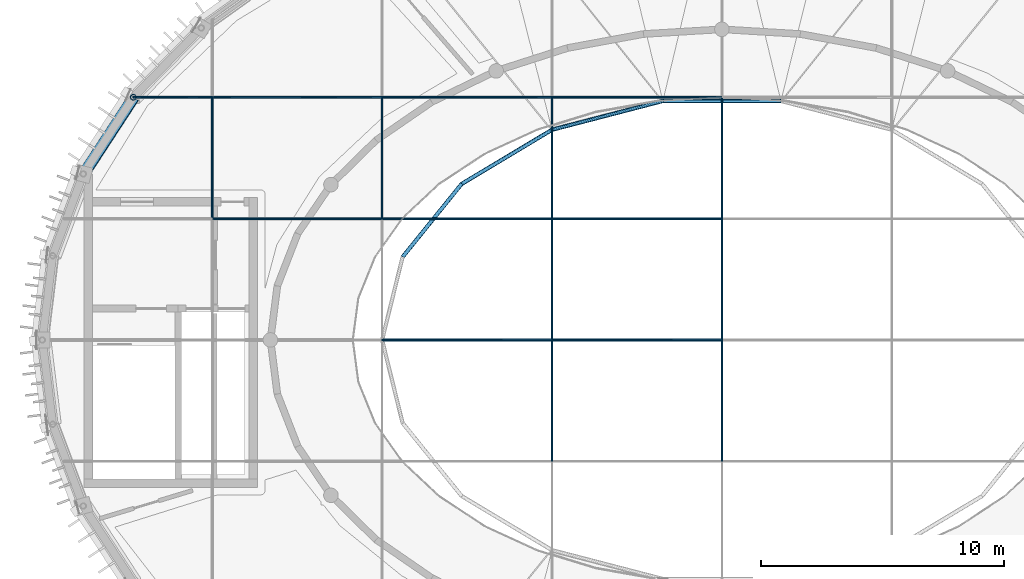
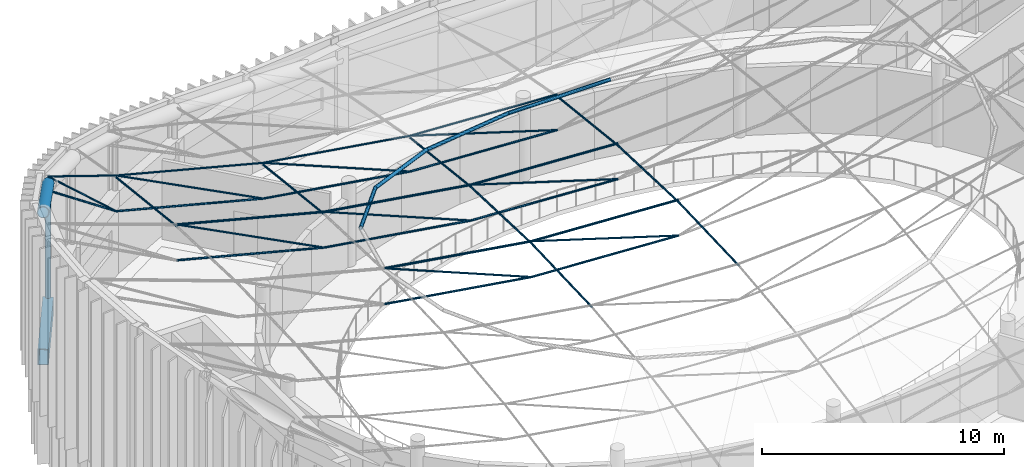
# One storey, part 6 of 36: 41 members, 1 beam.
"""IFC4 building model written with IfcOpenShell, lengths in metres."""

from ifc_helpers import new_model, si_unit, direction, frame, origin, origin_2d, place, context, subcontext, project, spatial, hollow_rectangle, circle, hollow_circle, extrude, material, material_profile, profile_set, type_object, element, save


model = new_model("IFC4")

# Units and contexts
model_context = context("Model", 3, precision=1e-05, world=origin(), true_north=direction((0.0, 1.0)))
body_context = subcontext(model_context, "Body", "Model", "MODEL_VIEW")
ifc_project = project(units=[si_unit("LENGTHUNIT", "METRE"), si_unit("AREAUNIT", "SQUARE_METRE"), si_unit("VOLUMEUNIT", "CUBIC_METRE"), si_unit("PLANEANGLEUNIT", "RADIAN"), si_unit("MASSUNIT", "GRAM", prefix="KILO")], contexts=[model_context])

# Site, building, storey
site_placement = place(None, origin())
site = spatial("IfcSite", under=ifc_project, at=site_placement, CompositionType="ELEMENT")
building_placement = place(site_placement, origin())
building = spatial("IfcBuilding", under=site, at=building_placement, Name="Tarnveldt Headland Concert Hall", CompositionType="ELEMENT")
storey_placement = place(building_placement, frame((0.0, 0.0, 22.800048828125)))
storey = spatial("IfcBuildingStorey", under=building, at=storey_placement, Name="L05", CompositionType="ELEMENT", Elevation=22.800048828125)

# Members
ifc_material = material(Name="Steel S355", Category="steel")
ifc_material_profile_1 = material_profile(ifc_material, circle(Radius=0.0458984375, at=origin_2d()), Name="LC D92", Category="steel")
ifc_profile_set_1 = profile_set([ifc_material_profile_1], Name="Steel S355")
member_type_1 = type_object("IfcMemberType", Name="CB-HOG92", PredefinedType="USERDEFINED", material=ifc_profile_set_1)
for number, where, z_axis, x_axis, name in (
    (1, (62.5, 59.5, 9.635009765625), (0.0, 0.993731316159, -0.111794773068), (-1.0, 0.0, 0.0), "ROOF TRUSS CABLE prestress chord 57"),
    (2, (69.5, 59.5, 7.822509765625), (0.0, 0.993731316159, -0.111794773068), (-1.0, 0.0, 0.0), "ROOF TRUSS CABLE prestress chord 64"),
):
    element("IfcMember", number, at=place(storey_placement, frame(where, z_axis=z_axis, x_axis=x_axis)), inside=storey, type_object=member_type_1, Name=name, ObjectType="CABLE", PredefinedType="USERDEFINED", context=body_context, shape_type="SweptSolid", body=[
        extrude(circle(Radius=0.0458984375, at=origin_2d()), origin(), (0.0, 0.0, 1.0), 5.031494140625),
    ])
for number, where, z_axis, x_axis, name in (
    (3, (76.5, 49.5, 6.73486328125), (0.0, 0.999297615709, 0.037473660589), (-1.0, 0.0, 0.0), "ROOF TRUSS CABLE prestress chord 70"),
    (4, (76.5, 54.5, 6.92236328125), (0.0, 0.999297615709, -0.037473660589), (-1.0, 0.0, 0.0), "ROOF TRUSS CABLE prestress chord 71"),
):
    element("IfcMember", number, at=place(storey_placement, frame(where, z_axis=z_axis, x_axis=x_axis)), inside=storey, type_object=member_type_1, Name=name, ObjectType="CABLE", PredefinedType="USERDEFINED", context=body_context, shape_type="SweptSolid", body=[
        extrude(circle(Radius=0.0458984375, at=origin_2d()), origin(), (0.0, 0.0, 1.0), 5.00341796875),
    ])
member_1_placement = place(storey_placement, frame((76.5, 59.5, 6.73486328125), z_axis=(0.0, 0.993731316159, -0.111794773068), x_axis=(-1.0, 0.0, 0.0)))
element("IfcMember", 5, at=member_1_placement, inside=storey, type_object=member_type_1, Name="ROOF TRUSS CABLE prestress chord 72", ObjectType="CABLE", PredefinedType="USERDEFINED", context=body_context, shape_type="SweptSolid", body=[
    extrude(circle(Radius=0.0458984375, at=origin_2d()), origin(), (0.0, 0.0, 1.0), 5.031494140625),
])
for number, where, z_axis, x_axis, name in (
    (6, (83.5, 49.5, 6.37255859375), (0.0, 0.999297615709, 0.037473660589), (-1.0, 0.0, 0.0), "ROOF TRUSS CABLE prestress chord 78"),
    (7, (83.5, 54.5, 6.56005859375), (0.0, 0.999297615709, -0.037473660589), (-1.0, 0.0, 0.0), "ROOF TRUSS CABLE prestress chord 79"),
):
    element("IfcMember", number, at=place(storey_placement, frame(where, z_axis=z_axis, x_axis=x_axis)), inside=storey, type_object=member_type_1, Name=name, ObjectType="CABLE", PredefinedType="USERDEFINED", context=body_context, shape_type="SweptSolid", body=[
        extrude(circle(Radius=0.0458984375, at=origin_2d()), origin(), (0.0, 0.0, 1.0), 5.00341796875),
    ])
member_2_placement = place(storey_placement, frame((83.5, 59.5, 6.37255859375), z_axis=(0.0, 0.993731316159, -0.111794773068), x_axis=(-1.0, 0.0, 0.0)))
element("IfcMember", 8, at=member_2_placement, inside=storey, type_object=member_type_1, Name="ROOF TRUSS CABLE prestress chord 80", ObjectType="CABLE", PredefinedType="USERDEFINED", context=body_context, shape_type="SweptSolid", body=[
    extrude(circle(Radius=0.0458984375, at=origin_2d()), origin(), (0.0, 0.0, 1.0), 5.031494140625),
])
ifc_material_profile_2 = material_profile(ifc_material, circle(Radius=0.053955078125, at=origin_2d()), Name="LC D108", Category="steel")
ifc_profile_set_2 = profile_set([ifc_material_profile_2], Name="Steel S355")
member_type_2 = type_object("IfcMemberType", Name="CB-SAG108", PredefinedType="USERDEFINED", material=ifc_profile_set_2)
member_3_placement = place(storey_placement, frame((69.5, 54.5, 8.10986328125), z_axis=(0.988148319322, 0.0, -0.153502114058), x_axis=(0.0, 1.0, 0.0)))
element("IfcMember", 9, at=member_3_placement, inside=storey, type_object=member_type_2, Name="ROOF TRUSS CABLE sag chord 25", ObjectType="CABLE", PredefinedType="USERDEFINED", context=body_context, shape_type="SweptSolid", body=[
    extrude(circle(Radius=0.053955078125, at=origin_2d()), origin(), (0.0, 0.0, 1.0), 7.083984375),
])
member_4_placement = place(storey_placement, frame((76.5, 54.5, 7.0224609375), z_axis=(0.99866145102, 0.0, -0.05172336268), x_axis=(0.0, 1.0, 0.0)))
element("IfcMember", 10, at=member_4_placement, inside=storey, type_object=member_type_2, Name="ROOF TRUSS CABLE sag chord 26", ObjectType="CABLE", PredefinedType="USERDEFINED", context=body_context, shape_type="SweptSolid", body=[
    extrude(circle(Radius=0.053955078125, at=origin_2d()), origin(), (0.0, 0.0, 1.0), 7.00927734375),
])
member_5_placement = place(storey_placement, frame((62.5, 59.5, 9.73486328125), z_axis=(0.968074621179, 0.0, -0.250662178698), x_axis=(0.0, 1.0, 0.0)))
element("IfcMember", 11, at=member_5_placement, inside=storey, type_object=member_type_2, Name="ROOF TRUSS CABLE sag chord 32", ObjectType="CABLE", PredefinedType="USERDEFINED", context=body_context, shape_type="SweptSolid", body=[
    extrude(circle(Radius=0.053955078125, at=origin_2d()), origin(), (0.0, 0.0, 1.0), 7.23095703125),
])
member_6_placement = place(storey_placement, frame((69.5, 59.5, 7.92236328125), z_axis=(0.988148319322, 0.0, -0.153502114058), x_axis=(0.0, 1.0, 0.0)))
element("IfcMember", 12, at=member_6_placement, inside=storey, type_object=member_type_2, Name="ROOF TRUSS CABLE sag chord 33", ObjectType="CABLE", PredefinedType="USERDEFINED", context=body_context, shape_type="SweptSolid", body=[
    extrude(circle(Radius=0.053955078125, at=origin_2d()), origin(), (0.0, 0.0, 1.0), 7.083984375),
])
member_7_placement = place(storey_placement, frame((76.5, 59.5, 6.8349609375), z_axis=(0.99866145102, 0.0, -0.05172336268), x_axis=(0.0, 1.0, 0.0)))
element("IfcMember", 13, at=member_7_placement, inside=storey, type_object=member_type_2, Name="ROOF TRUSS CABLE sag chord 34", ObjectType="CABLE", PredefinedType="USERDEFINED", context=body_context, shape_type="SweptSolid", body=[
    extrude(circle(Radius=0.053955078125, at=origin_2d()), origin(), (0.0, 0.0, 1.0), 7.00927734375),
])
ifc_material_profile_3 = material_profile(ifc_material, circle(Radius=0.031982421875, at=origin_2d()), Name="LC D64", Category="steel")
ifc_profile_set_3 = profile_set([ifc_material_profile_3], Name="Steel S355")
member_type_3 = type_object("IfcMemberType", Name="CB-STAY64", PredefinedType="USERDEFINED", material=ifc_profile_set_3)
member_8_placement = place(storey_placement, frame((69.5, 54.5, 8.10986328125), z_axis=(0.924440874248, 0.0, -0.381325412239), x_axis=(0.0, 1.0, 0.0)))
element("IfcMember", 14, at=member_8_placement, inside=storey, type_object=member_type_3, Name="ROOF TRUSS CABLE diagonal 25", ObjectType="CABLE", PredefinedType="USERDEFINED", context=body_context, shape_type="SweptSolid", body=[
    extrude(circle(Radius=0.031982421875, at=origin_2d()), origin(), (0.0, 0.0, 1.0), 7.572265625),
])
member_9_placement = place(storey_placement, frame((76.5, 54.5, 7.0224609375), z_axis=(0.955442632118, 0.0, -0.2951768567), x_axis=(0.0, 1.0, 0.0)))
element("IfcMember", 15, at=member_9_placement, inside=storey, type_object=member_type_3, Name="ROOF TRUSS CABLE diagonal 26", ObjectType="CABLE", PredefinedType="USERDEFINED", context=body_context, shape_type="SweptSolid", body=[
    extrude(circle(Radius=0.031982421875, at=origin_2d()), origin(), (0.0, 0.0, 1.0), 7.326416015625),
])
member_10_placement = place(storey_placement, frame((62.5, 59.5, 9.73486328125), z_axis=(0.888651623271, 0.0, -0.458582917757), x_axis=(0.0, 1.0, 0.0)))
element("IfcMember", 16, at=member_10_placement, inside=storey, type_object=member_type_3, Name="ROOF TRUSS CABLE diagonal 32", ObjectType="CABLE", PredefinedType="USERDEFINED", context=body_context, shape_type="SweptSolid", body=[
    extrude(circle(Radius=0.031982421875, at=origin_2d()), origin(), (0.0, 0.0, 1.0), 7.877197265625),
])
member_11_placement = place(storey_placement, frame((69.5, 59.5, 7.92236328125), z_axis=(0.924440874248, 0.0, -0.381325412239), x_axis=(0.0, 1.0, 0.0)))
element("IfcMember", 17, at=member_11_placement, inside=storey, type_object=member_type_3, Name="ROOF TRUSS CABLE diagonal 33", ObjectType="CABLE", PredefinedType="USERDEFINED", context=body_context, shape_type="SweptSolid", body=[
    extrude(circle(Radius=0.031982421875, at=origin_2d()), origin(), (0.0, 0.0, 1.0), 7.572265625),
])
member_12_placement = place(storey_placement, frame((76.5, 59.5, 6.8349609375), z_axis=(0.955442632118, 0.0, -0.2951768567), x_axis=(0.0, 1.0, 0.0)))
element("IfcMember", 18, at=member_12_placement, inside=storey, type_object=member_type_3, Name="ROOF TRUSS CABLE diagonal 34", ObjectType="CABLE", PredefinedType="USERDEFINED", context=body_context, shape_type="SweptSolid", body=[
    extrude(circle(Radius=0.031982421875, at=origin_2d()), origin(), (0.0, 0.0, 1.0), 7.326416015625),
])
member_13_placement = place(storey_placement, frame((59.251220703125, 64.5, 10.260009765625), z_axis=(0.747449604511, 0.0, -0.664318514507), x_axis=(0.0, 1.0, 0.0)))
element("IfcMember", 19, at=member_13_placement, inside=storey, type_object=member_type_3, Name="ROOF TRUSS CABLE diagonal 39", ObjectType="CABLE", PredefinedType="USERDEFINED", context=body_context, shape_type="SweptSolid", body=[
    extrude(circle(Radius=0.031982421875, at=origin_2d()), origin(), (0.0, 0.0, 1.0), 4.346435546875),
])
member_14_placement = place(storey_placement, frame((62.5, 64.5, 9.17236328125), z_axis=(0.888651623271, 0.0, -0.458582917757), x_axis=(0.0, 1.0, 0.0)))
element("IfcMember", 20, at=member_14_placement, inside=storey, type_object=member_type_3, Name="ROOF TRUSS CABLE diagonal 40", ObjectType="CABLE", PredefinedType="USERDEFINED", context=body_context, shape_type="SweptSolid", body=[
    extrude(circle(Radius=0.031982421875, at=origin_2d()), origin(), (0.0, 0.0, 1.0), 7.877197265625),
])
member_15_placement = place(storey_placement, frame((69.5, 64.5, 7.35986328125), z_axis=(0.924440874248, 0.0, -0.381325412239), x_axis=(0.0, 1.0, 0.0)))
element("IfcMember", 21, at=member_15_placement, inside=storey, type_object=member_type_3, Name="ROOF TRUSS CABLE diagonal 41", ObjectType="CABLE", PredefinedType="USERDEFINED", context=body_context, shape_type="SweptSolid", body=[
    extrude(circle(Radius=0.031982421875, at=origin_2d()), origin(), (0.0, 0.0, 1.0), 7.572265625),
])
member_16_placement = place(storey_placement, frame((76.5, 64.5, 6.2724609375), z_axis=(0.955442632118, 0.0, -0.2951768567), x_axis=(0.0, 1.0, 0.0)))
element("IfcMember", 22, at=member_16_placement, inside=storey, type_object=member_type_3, Name="ROOF TRUSS CABLE diagonal 42", ObjectType="CABLE", PredefinedType="USERDEFINED", context=body_context, shape_type="SweptSolid", body=[
    extrude(circle(Radius=0.031982421875, at=origin_2d()), origin(), (0.0, 0.0, 1.0), 7.326416015625),
])
ifc_material_profile_4 = material_profile(ifc_material, circle(Radius=0.0419921875, at=origin_2d()), Name="LC D84", Category="steel")
ifc_profile_set_4 = profile_set([ifc_material_profile_4], Name="Steel S355")
member_type_4 = type_object("IfcMemberType", Name="CB-STAY84", PredefinedType="USERDEFINED", material=ifc_profile_set_4)
member_17_placement = place(storey_placement, frame((59.251220703125, 64.5, 10.260009765625), z_axis=(0.948269174357, 0.0, -0.317467436068), x_axis=(0.0, 1.0, 0.0)))
element("IfcMember", 23, at=member_17_placement, inside=storey, type_object=member_type_4, Name="ROOF TRUSS CABLE sag chord 39", ObjectType="CABLE", PredefinedType="USERDEFINED", context=body_context, shape_type="SweptSolid", body=[
    extrude(circle(Radius=0.0419921875, at=origin_2d()), origin(), (0.0, 0.0, 1.0), 3.426025390625),
])
member_18_placement = place(storey_placement, frame((62.5, 64.5, 9.17236328125), z_axis=(0.968074621179, 0.0, -0.250662178698), x_axis=(0.0, 1.0, 0.0)))
element("IfcMember", 24, at=member_18_placement, inside=storey, type_object=member_type_4, Name="ROOF TRUSS CABLE sag chord 40", ObjectType="CABLE", PredefinedType="USERDEFINED", context=body_context, shape_type="SweptSolid", body=[
    extrude(circle(Radius=0.0419921875, at=origin_2d()), origin(), (0.0, 0.0, 1.0), 7.23095703125),
])
member_19_placement = place(storey_placement, frame((69.5, 64.5, 7.35986328125), z_axis=(0.988148319322, 0.0, -0.153502114058), x_axis=(0.0, 1.0, 0.0)))
element("IfcMember", 25, at=member_19_placement, inside=storey, type_object=member_type_4, Name="ROOF TRUSS CABLE sag chord 41", ObjectType="CABLE", PredefinedType="USERDEFINED", context=body_context, shape_type="SweptSolid", body=[
    extrude(circle(Radius=0.0419921875, at=origin_2d()), origin(), (0.0, 0.0, 1.0), 7.083984375),
])
member_20_placement = place(storey_placement, frame((76.5, 64.5, 6.2724609375), z_axis=(0.99866145102, 0.0, -0.05172336268), x_axis=(0.0, 1.0, 0.0)))
element("IfcMember", 26, at=member_20_placement, inside=storey, type_object=member_type_4, Name="ROOF TRUSS CABLE sag chord 42", ObjectType="CABLE", PredefinedType="USERDEFINED", context=body_context, shape_type="SweptSolid", body=[
    extrude(circle(Radius=0.0419921875, at=origin_2d()), origin(), (0.0, 0.0, 1.0), 7.00927734375),
])
ifc_material_profile_5 = material_profile(ifc_material, circle(Radius=0.0380859375, at=origin_2d()), Name="LC D76", Category="steel")
ifc_profile_set_5 = profile_set([ifc_material_profile_5], Name="Steel S355")
member_type_5 = type_object("IfcMemberType", Name="CB-TIE76", PredefinedType="USERDEFINED", material=ifc_profile_set_5)
member_21_placement = place(storey_placement, frame((69.5, 54.5, 6.31005859375), z_axis=(0.988143091198, 0.0, -0.1535357656), x_axis=(0.0, 1.0, 0.0)))
element("IfcMember", 27, at=member_21_placement, inside=storey, type_object=member_type_5, Name="ROOF TRUSS CABLE lower chord 25", ObjectType="CABLE", PredefinedType="USERDEFINED", context=body_context, shape_type="SweptSolid", body=[
    extrude(circle(Radius=0.0380859375, at=origin_2d()), origin(), (0.0, 0.0, 1.0), 7.083984375),
])
member_22_placement = place(storey_placement, frame((76.5, 54.5, 5.222412109375), z_axis=(0.99866145102, 0.0, -0.05172336268), x_axis=(0.0, 1.0, 0.0)))
element("IfcMember", 28, at=member_22_placement, inside=storey, type_object=member_type_5, Name="ROOF TRUSS CABLE lower chord 26", ObjectType="CABLE", PredefinedType="USERDEFINED", context=body_context, shape_type="SweptSolid", body=[
    extrude(circle(Radius=0.0380859375, at=origin_2d()), origin(), (0.0, 0.0, 1.0), 7.00927734375),
])
member_23_placement = place(storey_placement, frame((62.5, 59.5, 7.93505859375), z_axis=(0.968074621179, 0.0, -0.250662178698), x_axis=(0.0, 1.0, 0.0)))
element("IfcMember", 29, at=member_23_placement, inside=storey, type_object=member_type_5, Name="ROOF TRUSS CABLE lower chord 32", ObjectType="CABLE", PredefinedType="USERDEFINED", context=body_context, shape_type="SweptSolid", body=[
    extrude(circle(Radius=0.0380859375, at=origin_2d()), origin(), (0.0, 0.0, 1.0), 7.23095703125),
])
member_24_placement = place(storey_placement, frame((69.5, 59.5, 6.12255859375), z_axis=(0.988143091198, 0.0, -0.1535357656), x_axis=(0.0, 1.0, 0.0)))
element("IfcMember", 30, at=member_24_placement, inside=storey, type_object=member_type_5, Name="ROOF TRUSS CABLE lower chord 33", ObjectType="CABLE", PredefinedType="USERDEFINED", context=body_context, shape_type="SweptSolid", body=[
    extrude(circle(Radius=0.0380859375, at=origin_2d()), origin(), (0.0, 0.0, 1.0), 7.083984375),
])
member_25_placement = place(storey_placement, frame((76.5, 59.5, 5.034912109375), z_axis=(0.99866145102, 0.0, -0.05172336268), x_axis=(0.0, 1.0, 0.0)))
element("IfcMember", 31, at=member_25_placement, inside=storey, type_object=member_type_5, Name="ROOF TRUSS CABLE lower chord 34", ObjectType="CABLE", PredefinedType="USERDEFINED", context=body_context, shape_type="SweptSolid", body=[
    extrude(circle(Radius=0.0380859375, at=origin_2d()), origin(), (0.0, 0.0, 1.0), 7.00927734375),
])
member_26_placement = place(storey_placement, frame((59.251220703125, 64.5, 9.56005859375), z_axis=(0.829490559876, 0.0, -0.558520734688), x_axis=(0.0, 1.0, 0.0)))
element("IfcMember", 32, at=member_26_placement, inside=storey, type_object=member_type_5, Name="ROOF TRUSS CABLE lower chord 39", ObjectType="CABLE", PredefinedType="USERDEFINED", context=body_context, shape_type="SweptSolid", body=[
    extrude(circle(Radius=0.0380859375, at=origin_2d()), origin(), (0.0, 0.0, 1.0), 3.91650390625),
])
member_27_placement = place(storey_placement, frame((62.5, 64.5, 7.37255859375), z_axis=(0.968074621179, 0.0, -0.250662178698), x_axis=(0.0, 1.0, 0.0)))
element("IfcMember", 33, at=member_27_placement, inside=storey, type_object=member_type_5, Name="ROOF TRUSS CABLE lower chord 40", ObjectType="CABLE", PredefinedType="USERDEFINED", context=body_context, shape_type="SweptSolid", body=[
    extrude(circle(Radius=0.0380859375, at=origin_2d()), origin(), (0.0, 0.0, 1.0), 7.23095703125),
])
member_28_placement = place(storey_placement, frame((69.5, 64.5, 5.56005859375), z_axis=(0.988143091198, 0.0, -0.1535357656), x_axis=(0.0, 1.0, 0.0)))
element("IfcMember", 34, at=member_28_placement, inside=storey, type_object=member_type_5, Name="ROOF TRUSS CABLE lower chord 41", ObjectType="CABLE", PredefinedType="USERDEFINED", context=body_context, shape_type="SweptSolid", body=[
    extrude(circle(Radius=0.0380859375, at=origin_2d()), origin(), (0.0, 0.0, 1.0), 7.083984375),
])
member_29_placement = place(storey_placement, frame((76.5, 64.5, 4.472412109375), z_axis=(0.99866145102, 0.0, -0.05172336268), x_axis=(0.0, 1.0, 0.0)))
element("IfcMember", 35, at=member_29_placement, inside=storey, type_object=member_type_5, Name="ROOF TRUSS CABLE lower chord 42", ObjectType="CABLE", PredefinedType="USERDEFINED", context=body_context, shape_type="SweptSolid", body=[
    extrude(circle(Radius=0.0380859375, at=origin_2d()), origin(), (0.0, 0.0, 1.0), 7.00927734375),
])
ifc_material_profile_6 = material_profile(ifc_material, hollow_circle(Radius=0.084228515625, WallThickness=0.010009765625, at=origin_2d()), Name="CHS 168.3x10", Category="steel")
ifc_profile_set_6 = profile_set([ifc_material_profile_6], Name="Steel S355")
member_type_6 = type_object("IfcMemberType", Name="PR-CHS168", PredefinedType="PURLIN", material=ifc_profile_set_6)
member_30_placement = place(storey_placement, frame((85.93115234375, 64.34814453125, 5.896240234375), z_axis=(-1.0, 0.0, 0.0), x_axis=(0.0, -1.0, 0.0)))
element("IfcMember", 36, at=member_30_placement, inside=storey, type_object=member_type_6, Name="Saddle roof ring purlin 5", PredefinedType="PURLIN", context=body_context, shape_type="SweptSolid", body=[
    extrude(hollow_circle(Radius=0.084228515625, WallThickness=0.010009765625, at=origin_2d()), origin(), (0.0, 0.0, 1.0), 4.8623046875),
])
member_31_placement = place(storey_placement, frame((81.06884765625, 64.34814453125, 5.896240234375), z_axis=(-0.962790907549, -0.250292709481, 0.101917750767), x_axis=(0.251602848607, -0.967830567079, 0.0)))
element("IfcMember", 37, at=member_31_placement, inside=storey, type_object=member_type_6, Name="Saddle roof ring purlin 6", PredefinedType="PURLIN", context=body_context, shape_type="SweptSolid", body=[
    extrude(hollow_circle(Radius=0.084228515625, WallThickness=0.010009765625, at=origin_2d()), origin(), (0.0, 0.0, 1.0), 4.745361328125),
])
member_32_placement = place(storey_placement, frame((76.5, 63.160400390625, 6.3798828125), z_axis=(-0.845510150532, -0.506774044079, 0.168204202076), x_axis=(0.51409883539, -0.857730952834, 0.0)))
element("IfcMember", 38, at=member_32_placement, inside=storey, type_object=member_type_6, Name="Saddle roof ring purlin 7", PredefinedType="PURLIN", context=body_context, shape_type="SweptSolid", body=[
    extrude(hollow_circle(Radius=0.084228515625, WallThickness=0.010009765625, at=origin_2d()), origin(), (0.0, 0.0, 1.0), 4.4052734375),
])
member_33_placement = place(storey_placement, frame((72.775390625, 60.927978515625, 7.120849609375), z_axis=(-0.619876647106, -0.766909047234, 0.166142877197), x_axis=(0.77771801274, -0.628613309324, 0.0)))
element("IfcMember", 39, at=member_33_placement, inside=storey, type_object=member_type_6, Name="Saddle roof ring purlin 8", PredefinedType="PURLIN", context=body_context, shape_type="SweptSolid", body=[
    extrude(hollow_circle(Radius=0.084228515625, WallThickness=0.010009765625, at=origin_2d()), origin(), (0.0, 0.0, 1.0), 3.921875),
])

# Beam
ifc_material_profile_7 = material_profile(ifc_material, hollow_rectangle(XDim=0.449951171875, YDim=0.800048828125, WallThickness=0.028076171875, at=origin_2d()), Name="RHS 800x450x28", Category="steel")
ifc_profile_set_7 = profile_set([ifc_material_profile_7], Name="Steel S355")
beam_type = type_object("IfcBeamType", Name="RB-01", PredefinedType="BEAM", material=ifc_profile_set_7)
beam_placement = place(storey_placement, frame((59.251220703125, 64.5, 3.800048828125), z_axis=(-0.546611158382, -0.837386554425, 0.0), x_axis=(0.837386554425, -0.546611158382, 0.0)))
element("IfcBeam", 40, at=beam_placement, inside=storey, type_object=beam_type, Name="Compression RING BEAM chord 16", PredefinedType="BEAM", context=body_context, shape_type="SweptSolid", body=[
    extrude(hollow_rectangle(XDim=0.449951171875, YDim=0.800048828125, WallThickness=0.028076171875, at=origin_2d()), origin(), (0.0, 0.0, 1.0), 3.773193359375),
])

# Members
ifc_material_profile_8 = material_profile(ifc_material, hollow_circle(Radius=0.25390625, WallThickness=0.02490234375, at=origin_2d()), Name="CHS 508x25", Category="steel")
ifc_profile_set_8 = profile_set([ifc_material_profile_8], Name="Steel S355")
member_type_7 = type_object("IfcMemberType", Name="SR-CHS508", PredefinedType="CHORD", material=ifc_profile_set_8)
member_34_placement = place(storey_placement, frame((59.251220703125, 64.5, 9.919921875), z_axis=(-0.52206257762, -0.799779105061, 0.296317478656), x_axis=(0.837386554425, -0.546611158382, 0.0)))
element("IfcMember", 41, at=member_34_placement, inside=storey, type_object=member_type_7, Name="Saddle boundary arch RING BEAM rib 16", PredefinedType="CHORD", context=body_context, shape_type="SweptSolid", body=[
    extrude(hollow_circle(Radius=0.25390625, WallThickness=0.02490234375, at=origin_2d()), origin(), (0.0, 0.0, 1.0), 3.95068359375),
])
ifc_material_profile_9 = material_profile(ifc_material, hollow_circle(Radius=0.122314453125, WallThickness=0.01611328125, at=origin_2d()), Name="CHS 244.5x16", Category="steel")
ifc_profile_set_9 = profile_set([ifc_material_profile_9], Name="Steel S355")
member_type_8 = type_object("IfcMemberType", Name="TR-CHORD244", PredefinedType="POST", material=ifc_profile_set_9)
member_35_placement = place(storey_placement, frame((59.251220703125, 64.5, 3.849853515625), z_axis=(0.0, 0.0, 1.0), x_axis=(1.0, 0.0, 0.0)))
element("IfcMember", 42, at=member_35_placement, inside=storey, type_object=member_type_8, Name="Saddle ring pedestal strut 16", PredefinedType="POST", context=body_context, shape_type="SweptSolid", body=[
    extrude(hollow_circle(Radius=0.122314453125, WallThickness=0.01611328125, at=origin_2d()), origin(), (0.0, 0.0, 1.0), 6.070068359375),
])

save(model, "model.ifc")
